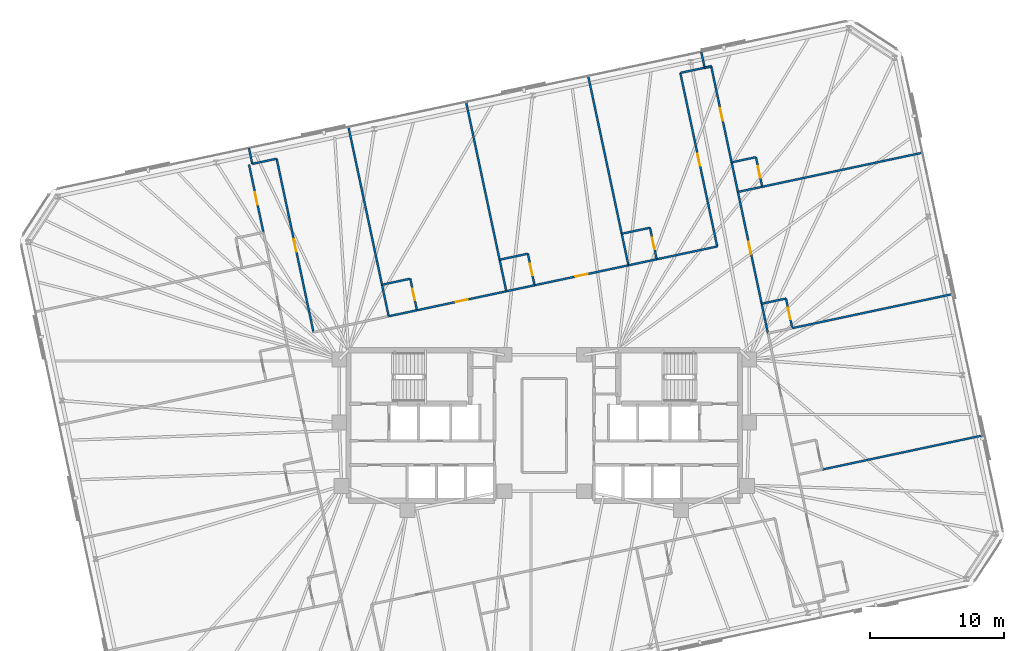
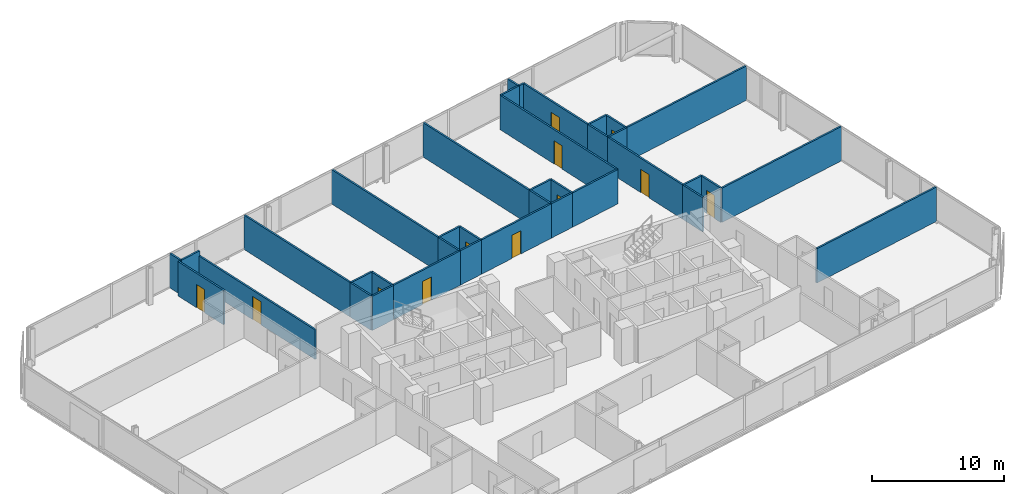
# One storey, part 17 of 19: 38 walls, 12 doors, 12 openings.
"""IFC4 building model written with IfcOpenShell, lengths in metres."""

from ifc_helpers import new_model, si_unit, direction, frame, frame_2d, origin, place, context, subcontext, project, spatial, rectangle, extrude, material, layer, layer_set, type_object, element, fill, save


model = new_model("IFC4")

# Units and contexts
model_context = context("Model", 3, precision=1e-05, world=origin(), true_north=direction((0.0, 1.0)))
body_context = subcontext(model_context, "Body", "Model", "MODEL_VIEW")
ifc_project = project(units=[si_unit("LENGTHUNIT", "METRE"), si_unit("AREAUNIT", "SQUARE_METRE"), si_unit("VOLUMEUNIT", "CUBIC_METRE"), si_unit("PLANEANGLEUNIT", "RADIAN"), si_unit("MASSUNIT", "GRAM", prefix="KILO")], contexts=[model_context])

# Site, building, storey
site_placement = place(None, origin())
site = spatial("IfcSite", under=ifc_project, at=site_placement, CompositionType="ELEMENT")
building_placement = place(site_placement, origin())
building = spatial("IfcBuilding", under=site, at=building_placement, Name="Menara Jurai Vektor", CompositionType="ELEMENT")
storey_placement = place(building_placement, frame((0.0, 0.0, 182.0)))
storey = spatial("IfcBuildingStorey", under=building, at=storey_placement, Name="L47", CompositionType="ELEMENT", Elevation=182.0)

# Wall
ifc_material_1 = material(Name="Gypsum Fireboard Partition", Category="gypsum")
ifc_layer_1 = layer(ifc_material_1, 0.14990234375)
ifc_layer_set_1 = layer_set([ifc_layer_1], Name="Gypsum Fireboard Partition")
wall_type_1 = type_object("IfcWallType", Name="INT-WALL-CORR-150", PredefinedType="PARTITIONING", material=ifc_layer_set_1)
wall_1_placement = place(storey_placement, frame((-21.71533203125, 19.447998046875, 0.0), z_axis=(0.0, 0.0, 1.0), x_axis=(0.978160192495, 0.207852442415, 0.0)))
element("IfcWall", 1, at=wall_1_placement, inside=storey, type_object=wall_type_1, Name="Interior Wall IW-150 L47", PredefinedType="PARTITIONING", context=body_context, shape_type="SweptSolid", body=[
    extrude(rectangle(XDim=1.849853515625, YDim=0.14990234375, at=frame_2d((0.9248046875, 0.0))), origin(), (0.0, 0.0, 1.0), 3.175048828125),
])

# Wall, opening, door
wall_2_placement = place(storey_placement, frame((-9.46728515625, 8.5615234375, 0.0), z_axis=(0.0, 0.0, 1.0), x_axis=(0.978147157672, 0.207913775247, 0.0)))
wall_2 = element("IfcWall", 2, at=wall_2_placement, inside=storey, type_object=wall_type_1, Name="Interior Wall IW-150 L47", PredefinedType="PARTITIONING", context=body_context, shape_type="SweptSolid", body=[
    extrude(rectangle(XDim=6.79296875, YDim=0.14990234375, at=frame_2d((3.396484375, 0.0))), origin(), (0.0, 0.0, 1.0), 3.175048828125),
])
opening_1_placement = place(wall_2_placement, frame((2.9365234375, 0.0, 0.0)))
opening_1 = element("IfcOpeningElement", 3, at=opening_1_placement, cuts=wall_2, Name="Opening D47-08", PredefinedType="OPENING", context=body_context, shape_type="SweptSolid", body=[
    extrude(rectangle(XDim=0.919921875, YDim=2.14990234375, at=frame_2d((0.4599609375, 1.074951171875))), frame((0.0, 0.0849609375, 0.0), z_axis=(0.0, -1.0, 0.0), x_axis=(1.0, 0.0, 0.0)), (0.0, 0.0, 1.0), 0.169921875),
])
ifc_material_2 = material(Name="Solid Core Timber Fire Door", Category="wood")
door_type_1 = type_object("IfcDoorType", Name="DR-ENTRY-950", OperationType="NOTDEFINED", PredefinedType="DOOR", material=ifc_material_2)
door_1_placement = place(opening_1_placement, origin())
door_1 = element("IfcDoor", 4, at=door_1_placement, inside=storey, type_object=door_type_1, Name="Interior Door D47-08", OperationType="SINGLE_SWING_LEFT", OverallHeight=2.14990234375, OverallWidth=0.919921875, PredefinedType="DOOR", context=body_context, shape_type="SweptSolid", body=[
    extrude(rectangle(XDim=0.919921875, YDim=2.14990234375, at=frame_2d((0.4599609375, 1.074951171875))), frame((0.0, 0.02490234375, 0.0), z_axis=(0.0, -1.0, 0.0), x_axis=(1.0, 0.0, 0.0)), (0.0, 0.0, 1.0), 0.050048828125),
])
fill(opening_1, door_1)

# Wall
wall_3_placement = place(storey_placement, frame((-11.5703125, 8.114501953125, 0.0), z_axis=(0.0, 0.0, 1.0), x_axis=(0.978146728319, 0.207915795165, 0.0)))
element("IfcWall", 5, at=wall_3_placement, inside=storey, type_object=wall_type_1, Name="Interior Wall IW-150 L47", PredefinedType="PARTITIONING", context=body_context, shape_type="SweptSolid", body=[
    extrude(rectangle(XDim=2.14990234375, YDim=0.14990234375, at=frame_2d((1.074951171875, 0.0))), origin(), (0.0, 0.0, 1.0), 3.175048828125),
])

# Wall, opening, door
wall_4_placement = place(storey_placement, frame((-0.7197265625, 10.4208984375, 0.0), z_axis=(0.0, 0.0, 1.0), x_axis=(0.978147545754, 0.207911949477, 0.0)))
wall_4 = element("IfcWall", 6, at=wall_4_placement, inside=storey, type_object=wall_type_1, Name="Interior Wall IW-150 L47", PredefinedType="PARTITIONING", context=body_context, shape_type="SweptSolid", body=[
    extrude(rectangle(XDim=7.135986328125, YDim=0.14990234375, at=frame_2d((3.56787109375, 0.0))), origin(), (0.0, 0.0, 1.0), 3.175048828125),
])
opening_2_placement = place(wall_4_placement, frame((3.10791015625, 0.0, 0.0)))
opening_2 = element("IfcOpeningElement", 7, at=opening_2_placement, cuts=wall_4, Name="Opening D47-10", PredefinedType="OPENING", context=body_context, shape_type="SweptSolid", body=[
    extrude(rectangle(XDim=0.919921875, YDim=2.14990234375, at=frame_2d((0.4599609375, 1.074951171875))), frame((0.0, 0.0849609375, 0.0), z_axis=(0.0, -1.0, 0.0), x_axis=(1.0, 0.0, 0.0)), (0.0, 0.0, 1.0), 0.169921875),
])
door_2_placement = place(opening_2_placement, origin())
door_2 = element("IfcDoor", 8, at=door_2_placement, inside=storey, type_object=door_type_1, Name="Interior Door D47-10", OperationType="SINGLE_SWING_LEFT", OverallHeight=2.14990234375, OverallWidth=0.919921875, PredefinedType="DOOR", context=body_context, shape_type="SweptSolid", body=[
    extrude(rectangle(XDim=0.919921875, YDim=2.14990234375, at=frame_2d((0.4599609375, 1.074951171875))), frame((0.0, 0.02490234375, 0.0), z_axis=(0.0, -1.0, 0.0), x_axis=(1.0, 0.0, 0.0)), (0.0, 0.0, 1.0), 0.050048828125),
])
fill(opening_2, door_2)

# Walls
wall_5_placement = place(storey_placement, frame((-2.82275390625, 9.973876953125, 0.0), z_axis=(0.0, 0.0, 1.0), x_axis=(0.978146728319, 0.207915795165, 0.0)))
element("IfcWall", 9, at=wall_5_placement, inside=storey, type_object=wall_type_1, Name="Interior Wall IW-150 L47", PredefinedType="PARTITIONING", context=body_context, shape_type="SweptSolid", body=[
    extrude(rectangle(XDim=2.14990234375, YDim=0.14990234375, at=frame_2d((1.074951171875, 0.0))), origin(), (0.0, 0.0, 1.0), 3.175048828125),
])
wall_6_placement = place(storey_placement, frame((8.36328125, 12.3515625, 0.0), z_axis=(0.0, 0.0, 1.0), x_axis=(0.978153723809, 0.20788288193, 0.0)))
element("IfcWall", 10, at=wall_6_placement, inside=storey, type_object=wall_type_1, Name="Interior Wall IW-150 L47", PredefinedType="PARTITIONING", context=body_context, shape_type="SweptSolid", body=[
    extrude(rectangle(XDim=4.59912109375, YDim=0.14990234375, at=frame_2d((2.299560546875, 0.0))), origin(), (0.0, 0.0, 1.0), 3.175048828125),
])

# Wall, opening, door
wall_7_placement = place(storey_placement, frame((12.86181640625, 13.3076171875, 0.0), z_axis=(0.0, 0.0, 1.0), x_axis=(-0.207911421929, 0.978147657888, 0.0)))
wall_7 = element("IfcWall", 11, at=wall_7_placement, inside=storey, type_object=wall_type_1, Name="Interior Wall IW-150 L47", PredefinedType="PARTITIONING", context=body_context, shape_type="SweptSolid", body=[
    extrude(rectangle(XDim=13.195068359375, YDim=0.14990234375, at=frame_2d((6.59765625, 0.0))), origin(), (0.0, 0.0, 1.0), 3.175048828125),
])
opening_3_placement = place(wall_7_placement, frame((6.137451171875, 0.0, 0.0)))
opening_3 = element("IfcOpeningElement", 12, at=opening_3_placement, cuts=wall_7, Name="Opening D47-12", PredefinedType="OPENING", context=body_context, shape_type="SweptSolid", body=[
    extrude(rectangle(XDim=0.919921875, YDim=2.14990234375, at=frame_2d((0.4599609375, 1.074951171875))), frame((0.0, 0.0849609375, 0.0), z_axis=(0.0, -1.0, 0.0), x_axis=(1.0, 0.0, 0.0)), (0.0, 0.0, 1.0), 0.169921875),
])
door_3_placement = place(opening_3_placement, origin())
door_3 = element("IfcDoor", 13, at=door_3_placement, inside=storey, type_object=door_type_1, Name="Interior Door D47-12", OperationType="SINGLE_SWING_LEFT", OverallHeight=2.14990234375, OverallWidth=0.919921875, PredefinedType="DOOR", context=body_context, shape_type="SweptSolid", body=[
    extrude(rectangle(XDim=0.919921875, YDim=2.14990234375, at=frame_2d((0.4599609375, 1.074951171875))), frame((0.0, 0.02490234375, 0.0), z_axis=(0.0, -1.0, 0.0), x_axis=(1.0, 0.0, 0.0)), (0.0, 0.0, 1.0), 0.050048828125),
])
fill(opening_3, door_3)

# Walls
wall_8_placement = place(storey_placement, frame((10.118408203125, 26.21435546875, 0.0), z_axis=(0.0, 0.0, 1.0), x_axis=(0.978133353907, 0.20797870558, 0.0)))
element("IfcWall", 14, at=wall_8_placement, inside=storey, type_object=wall_type_1, Name="Interior Wall IW-150 L47", PredefinedType="PARTITIONING", context=body_context, shape_type="SweptSolid", body=[
    extrude(rectangle(XDim=1.85009765625, YDim=0.14990234375, at=frame_2d((0.925048828125, 0.0))), origin(), (0.0, 0.0, 1.0), 3.175048828125),
])
wall_9_placement = place(storey_placement, frame((6.26025390625, 11.904541015625, 0.0), z_axis=(0.0, 0.0, 1.0), x_axis=(0.978146728319, 0.207915795165, 0.0)))
element("IfcWall", 15, at=wall_9_placement, inside=storey, type_object=wall_type_1, Name="Interior Wall IW-150 L47", PredefinedType="PARTITIONING", context=body_context, shape_type="SweptSolid", body=[
    extrude(rectangle(XDim=2.14990234375, YDim=0.14990234375, at=frame_2d((1.074951171875, 0.0))), origin(), (0.0, 0.0, 1.0), 3.175048828125),
])

# Wall, opening, door
wall_10_placement = place(storey_placement, frame((-20.88916015625, 14.3583984375, 0.0), z_axis=(0.0, 0.0, 1.0), x_axis=(-0.207916584961, 0.978146560439, 0.0)))
wall_10 = element("IfcWall", 16, at=wall_10_placement, inside=storey, type_object=wall_type_1, Name="Interior Wall IW-150 L47", PredefinedType="PARTITIONING", context=body_context, shape_type="SweptSolid", body=[
    extrude(rectangle(XDim=5.150146484375, YDim=0.14990234375, at=frame_2d((2.5751953125, 0.0))), origin(), (0.0, 0.0, 1.0), 3.175048828125),
])
opening_4_placement = place(wall_10_placement, frame((2.10009765625, 0.0, 0.0)))
opening_4 = element("IfcOpeningElement", 17, at=opening_4_placement, cuts=wall_10, Name="Opening D47-27", PredefinedType="OPENING", context=body_context, shape_type="SweptSolid", body=[
    extrude(rectangle(XDim=0.949951171875, YDim=2.14990234375, at=frame_2d((0.47509765625, 1.074951171875))), frame((0.0, 0.0849609375, 0.0), z_axis=(0.0, -1.0, 0.0), x_axis=(1.0, 0.0, 0.0)), (0.0, 0.0, 1.0), 0.169921875),
])
door_4_placement = place(opening_4_placement, origin())
door_4 = element("IfcDoor", 18, at=door_4_placement, inside=storey, type_object=door_type_1, Name="Interior Door D47-27", OperationType="SINGLE_SWING_RIGHT", OverallHeight=2.14990234375, OverallWidth=0.949951171875, PredefinedType="DOOR", context=body_context, shape_type="SweptSolid", body=[
    extrude(rectangle(XDim=0.949951171875, YDim=2.14990234375, at=frame_2d((0.47509765625, 1.074951171875))), frame((0.0, 0.02490234375, 0.0), z_axis=(0.0, -1.0, 0.0), x_axis=(1.0, 0.0, 0.0)), (0.0, 0.0, 1.0), 0.050048828125),
])
fill(opening_4, door_4)

wall_11_placement = place(storey_placement, frame((16.169921875, 9.04736328125, 0.0), z_axis=(0.0, 0.0, 1.0), x_axis=(-0.2079164651, 0.978146585917, 0.0)))
wall_11 = element("IfcWall", 19, at=wall_11_placement, inside=storey, type_object=wall_type_1, Name="Interior Wall IW-150 L47", PredefinedType="PARTITIONING", context=body_context, shape_type="SweptSolid", body=[
    extrude(rectangle(XDim=8.500244140625, YDim=0.14990234375, at=frame_2d((4.25, 0.0))), origin(), (0.0, 0.0, 1.0), 3.175048828125),
])
opening_5_placement = place(wall_11_placement, frame((3.77490234375, 0.0, 0.0)))
opening_5 = element("IfcOpeningElement", 20, at=opening_5_placement, cuts=wall_11, Name="Opening D47-33", PredefinedType="OPENING", context=body_context, shape_type="SweptSolid", body=[
    extrude(rectangle(XDim=0.949951171875, YDim=2.14990234375, at=frame_2d((0.47509765625, 1.074951171875))), frame((0.0, 0.0849609375, 0.0), z_axis=(0.0, -1.0, 0.0), x_axis=(1.0, 0.0, 0.0)), (0.0, 0.0, 1.0), 0.169921875),
])
door_5_placement = place(opening_5_placement, origin())
door_5 = element("IfcDoor", 21, at=door_5_placement, inside=storey, type_object=door_type_1, Name="Interior Door D47-33", OperationType="SINGLE_SWING_RIGHT", OverallHeight=2.14990234375, OverallWidth=0.949951171875, PredefinedType="DOOR", context=body_context, shape_type="SweptSolid", body=[
    extrude(rectangle(XDim=0.949951171875, YDim=2.14990234375, at=frame_2d((0.47509765625, 1.074951171875))), frame((0.0, 0.02490234375, 0.0), z_axis=(0.0, -1.0, 0.0), x_axis=(1.0, 0.0, 0.0)), (0.0, 0.0, 1.0), 0.050048828125),
])
fill(opening_5, door_5)

# Walls
wall_12_placement = place(storey_placement, frame((16.6376953125, 6.8466796875, 0.0), z_axis=(0.0, 0.0, 1.0), x_axis=(-0.207913264065, 0.978147266328, 0.0)))
element("IfcWall", 22, at=wall_12_placement, inside=storey, type_object=wall_type_1, Name="Interior Wall IW-150 L47", PredefinedType="PARTITIONING", context=body_context, shape_type="SweptSolid", body=[
    extrude(rectangle(XDim=2.249755859375, YDim=0.14990234375, at=frame_2d((1.125, 0.0))), origin(), (0.0, 0.0, 1.0), 3.175048828125),
])
wall_13_placement = place(storey_placement, frame((11.927978515625, 26.59912109375, 0.0), z_axis=(0.0, 0.0, 1.0), x_axis=(0.97822210712, 0.207560856478, 0.0)))
element("IfcWall", 23, at=wall_13_placement, inside=storey, type_object=wall_type_1, Name="Interior Wall IW-150 L47", PredefinedType="PARTITIONING", context=body_context, shape_type="SweptSolid", body=[
    extrude(rectangle(XDim=0.5, YDim=0.14990234375, at=frame_2d((0.25, 0.0))), origin(), (0.0, 0.0, 1.0), 3.175048828125),
])

# Wall, opening, door
wall_14_placement = place(storey_placement, frame((13.934814453125, 19.5625, 0.0), z_axis=(0.0, 0.0, 1.0), x_axis=(-0.207923154003, 0.978145164088, 0.0)))
wall_14 = element("IfcWall", 24, at=wall_14_placement, inside=storey, type_object=wall_type_1, Name="Interior Wall IW-150 L47", PredefinedType="PARTITIONING", context=body_context, shape_type="SweptSolid", body=[
    extrude(rectangle(XDim=7.2998046875, YDim=0.14990234375, at=frame_2d((3.64990234375, 0.0))), origin(), (0.0, 0.0, 1.0), 3.175048828125),
])
opening_6_placement = place(wall_14_placement, frame((3.175048828125, 0.0, 0.0)))
opening_6 = element("IfcOpeningElement", 25, at=opening_6_placement, cuts=wall_14, Name="Opening D47-35", PredefinedType="OPENING", context=body_context, shape_type="SweptSolid", body=[
    extrude(rectangle(XDim=0.949951171875, YDim=2.14990234375, at=frame_2d((0.47509765625, 1.074951171875))), frame((0.0, 0.0849609375, 0.0), z_axis=(0.0, -1.0, 0.0), x_axis=(1.0, 0.0, 0.0)), (0.0, 0.0, 1.0), 0.169921875),
])
door_6_placement = place(opening_6_placement, origin())
door_6 = element("IfcDoor", 26, at=door_6_placement, inside=storey, type_object=door_type_1, Name="Interior Door D47-35", OperationType="SINGLE_SWING_RIGHT", OverallHeight=2.14990234375, OverallWidth=0.949951171875, PredefinedType="DOOR", context=body_context, shape_type="SweptSolid", body=[
    extrude(rectangle(XDim=0.949951171875, YDim=2.14990234375, at=frame_2d((0.47509765625, 1.074951171875))), frame((0.0, 0.02490234375, 0.0), z_axis=(0.0, -1.0, 0.0), x_axis=(1.0, 0.0, 0.0)), (0.0, 0.0, 1.0), 0.050048828125),
])
fill(opening_6, door_6)

# Walls
wall_15_placement = place(storey_placement, frame((14.402587890625, 17.36181640625, 0.0), z_axis=(0.0, 0.0, 1.0), x_axis=(-0.207913264065, 0.978147266328, 0.0)))
element("IfcWall", 27, at=wall_15_placement, inside=storey, type_object=wall_type_1, Name="Interior Wall IW-150 L47", PredefinedType="PARTITIONING", context=body_context, shape_type="SweptSolid", body=[
    extrude(rectangle(XDim=2.249755859375, YDim=0.14990234375, at=frame_2d((1.125, 0.0))), origin(), (0.0, 0.0, 1.0), 3.175048828125),
])
wall_16_placement = place(storey_placement, frame((-12.0693359375, 10.462158203125, 0.0), z_axis=(0.0, 0.0, 1.0), x_axis=(-0.207914988081, 0.978146899873, 0.0)))
element("IfcWall", 28, at=wall_16_placement, inside=storey, type_object=wall_type_1, Name="Interior Wall IW-150 L47", PredefinedType="PARTITIONING", context=body_context, shape_type="SweptSolid", body=[
    extrude(rectangle(XDim=11.994873046875, YDim=0.14990234375, at=frame_2d((5.99755859375, 0.0))), origin(), (0.0, 0.0, 1.0), 3.175048828125),
])
wall_17_placement = place(storey_placement, frame((-11.5703125, 8.114501953125, 0.0), z_axis=(0.0, 0.0, 1.0), x_axis=(-0.207917150959, 0.978146440129, 0.0)))
element("IfcWall", 29, at=wall_17_placement, inside=storey, type_object=wall_type_1, Name="Interior Wall IW-150 L47", PredefinedType="PARTITIONING", context=body_context, shape_type="SweptSolid", body=[
    extrude(rectangle(XDim=2.400146484375, YDim=0.14990234375, at=frame_2d((1.2001953125, 0.0))), origin(), (0.0, 0.0, 1.0), 3.175048828125),
])
wall_18_placement = place(storey_placement, frame((-21.71533203125, 19.447998046875, 0.0), z_axis=(0.0, 0.0, 1.0), x_axis=(-0.20795853359, 0.978137642823, 0.0)))
element("IfcWall", 30, at=wall_18_placement, inside=storey, type_object=wall_type_1, Name="Interior Wall IW-150 L47", PredefinedType="PARTITIONING", context=body_context, shape_type="SweptSolid", body=[
    extrude(rectangle(XDim=1.19970703125, YDim=0.14990234375, at=frame_2d((0.599853515625, 0.0))), origin(), (0.0, 0.0, 1.0), 3.175048828125),
])
wall_19_placement = place(storey_placement, frame((-12.0693359375, 10.462158203125, 0.0), z_axis=(0.0, 0.0, 1.0), x_axis=(0.978146728319, 0.207915795165, 0.0)))
element("IfcWall", 31, at=wall_19_placement, inside=storey, type_object=wall_type_1, Name="Interior Wall IW-150 L47", PredefinedType="PARTITIONING", context=body_context, shape_type="SweptSolid", body=[
    extrude(rectangle(XDim=2.14990234375, YDim=0.14990234375, at=frame_2d((1.074951171875, 0.0))), origin(), (0.0, 0.0, 1.0), 3.175048828125),
])

# Wall, opening, door
wall_20_placement = place(storey_placement, frame((-9.46728515625, 8.5615234375, 0.0), z_axis=(0.0, 0.0, 1.0), x_axis=(-0.207917150959, 0.978146440129, 0.0)))
wall_20 = element("IfcWall", 32, at=wall_20_placement, inside=storey, type_object=wall_type_1, Name="Interior Wall IW-150 L47", PredefinedType="PARTITIONING", context=body_context, shape_type="SweptSolid", body=[
    extrude(rectangle(XDim=2.400146484375, YDim=0.14990234375, at=frame_2d((1.2001953125, 0.0))), origin(), (0.0, 0.0, 1.0), 3.175048828125),
])
opening_7_placement = place(wall_20_placement, frame((0.760009765625, 0.0, 0.0)))
opening_7 = element("IfcOpeningElement", 33, at=opening_7_placement, cuts=wall_20, Name="Opening D47-09", PredefinedType="OPENING", context=body_context, shape_type="SweptSolid", body=[
    extrude(rectangle(XDim=0.8798828125, YDim=2.14990234375, at=frame_2d((0.43994140625, 1.074951171875))), frame((0.0, 0.0849609375, 0.0), z_axis=(0.0, -1.0, 0.0), x_axis=(1.0, 0.0, 0.0)), (0.0, 0.0, 1.0), 0.169921875),
])
ifc_material_3 = material(Name="Moisture-Resistant Timber Door", Category="wood")
door_type_2 = type_object("IfcDoorType", Name="DR-BATH-880", OperationType="NOTDEFINED", PredefinedType="DOOR", material=ifc_material_3)
door_7_placement = place(opening_7_placement, origin())
door_7 = element("IfcDoor", 34, at=door_7_placement, inside=storey, type_object=door_type_2, Name="Interior Door D47-09", OperationType="SINGLE_SWING_RIGHT", OverallHeight=2.14990234375, OverallWidth=0.8798828125, PredefinedType="DOOR", context=body_context, shape_type="SweptSolid", body=[
    extrude(rectangle(XDim=0.8798828125, YDim=2.14990234375, at=frame_2d((0.43994140625, 1.074951171875))), frame((0.0, 0.02490234375, 0.0), z_axis=(0.0, -1.0, 0.0), x_axis=(1.0, 0.0, 0.0)), (0.0, 0.0, 1.0), 0.050048828125),
])
fill(opening_7, door_7)

# Walls
wall_21_placement = place(storey_placement, frame((-3.32177734375, 12.3212890625, 0.0), z_axis=(0.0, 0.0, 1.0), x_axis=(-0.207910848762, 0.978147779718, 0.0)))
element("IfcWall", 35, at=wall_21_placement, inside=storey, type_object=wall_type_1, Name="Interior Wall IW-150 L47", PredefinedType="PARTITIONING", context=body_context, shape_type="SweptSolid", body=[
    extrude(rectangle(XDim=11.9951171875, YDim=0.14990234375, at=frame_2d((5.99755859375, 0.0))), origin(), (0.0, 0.0, 1.0), 3.175048828125),
])
wall_22_placement = place(storey_placement, frame((-2.82275390625, 9.973876953125, 0.0), z_axis=(0.0, 0.0, 1.0), x_axis=(-0.207937840262, 0.978142042133, 0.0)))
element("IfcWall", 36, at=wall_22_placement, inside=storey, type_object=wall_type_1, Name="Interior Wall IW-150 L47", PredefinedType="PARTITIONING", context=body_context, shape_type="SweptSolid", body=[
    extrude(rectangle(XDim=2.39990234375, YDim=0.14990234375, at=frame_2d((1.199951171875, 0.0))), origin(), (0.0, 0.0, 1.0), 3.175048828125),
])
wall_23_placement = place(storey_placement, frame((-3.32177734375, 12.3212890625, 0.0), z_axis=(0.0, 0.0, 1.0), x_axis=(0.978146728319, 0.207915795165, 0.0)))
element("IfcWall", 37, at=wall_23_placement, inside=storey, type_object=wall_type_1, Name="Interior Wall IW-150 L47", PredefinedType="PARTITIONING", context=body_context, shape_type="SweptSolid", body=[
    extrude(rectangle(XDim=2.14990234375, YDim=0.14990234375, at=frame_2d((1.074951171875, 0.0))), origin(), (0.0, 0.0, 1.0), 3.175048828125),
])

# Wall, opening, door
wall_24_placement = place(storey_placement, frame((-0.7197265625, 10.4208984375, 0.0), z_axis=(0.0, 0.0, 1.0), x_axis=(-0.207937840262, 0.978142042133, 0.0)))
wall_24 = element("IfcWall", 38, at=wall_24_placement, inside=storey, type_object=wall_type_1, Name="Interior Wall IW-150 L47", PredefinedType="PARTITIONING", context=body_context, shape_type="SweptSolid", body=[
    extrude(rectangle(XDim=2.39990234375, YDim=0.14990234375, at=frame_2d((1.199951171875, 0.0))), origin(), (0.0, 0.0, 1.0), 3.175048828125),
])
opening_8_placement = place(wall_24_placement, frame((0.760009765625, 0.0, 0.0)))
opening_8 = element("IfcOpeningElement", 39, at=opening_8_placement, cuts=wall_24, Name="Opening D47-11", PredefinedType="OPENING", context=body_context, shape_type="SweptSolid", body=[
    extrude(rectangle(XDim=0.8798828125, YDim=2.14990234375, at=frame_2d((0.43994140625, 1.074951171875))), frame((0.0, 0.0849609375, 0.0), z_axis=(0.0, -1.0, 0.0), x_axis=(1.0, 0.0, 0.0)), (0.0, 0.0, 1.0), 0.169921875),
])
door_8_placement = place(opening_8_placement, origin())
door_8 = element("IfcDoor", 40, at=door_8_placement, inside=storey, type_object=door_type_2, Name="Interior Door D47-11", OperationType="SINGLE_SWING_RIGHT", OverallHeight=2.14990234375, OverallWidth=0.8798828125, PredefinedType="DOOR", context=body_context, shape_type="SweptSolid", body=[
    extrude(rectangle(XDim=0.8798828125, YDim=2.14990234375, at=frame_2d((0.43994140625, 1.074951171875))), frame((0.0, 0.02490234375, 0.0), z_axis=(0.0, -1.0, 0.0), x_axis=(1.0, 0.0, 0.0)), (0.0, 0.0, 1.0), 0.050048828125),
])
fill(opening_8, door_8)

# Walls
wall_25_placement = place(storey_placement, frame((5.76123046875, 14.252197265625, 0.0), z_axis=(0.0, 0.0, 1.0), x_axis=(-0.207910848762, 0.978147779718, 0.0)))
element("IfcWall", 41, at=wall_25_placement, inside=storey, type_object=wall_type_1, Name="Interior Wall IW-150 L47", PredefinedType="PARTITIONING", context=body_context, shape_type="SweptSolid", body=[
    extrude(rectangle(XDim=11.9951171875, YDim=0.14990234375, at=frame_2d((5.99755859375, 0.0))), origin(), (0.0, 0.0, 1.0), 3.175048828125),
])
wall_26_placement = place(storey_placement, frame((6.26025390625, 11.904541015625, 0.0), z_axis=(0.0, 0.0, 1.0), x_axis=(-0.207917150959, 0.978146440129, 0.0)))
element("IfcWall", 42, at=wall_26_placement, inside=storey, type_object=wall_type_1, Name="Interior Wall IW-150 L47", PredefinedType="PARTITIONING", context=body_context, shape_type="SweptSolid", body=[
    extrude(rectangle(XDim=2.400146484375, YDim=0.14990234375, at=frame_2d((1.2001953125, 0.0))), origin(), (0.0, 0.0, 1.0), 3.175048828125),
])
wall_27_placement = place(storey_placement, frame((5.76123046875, 14.252197265625, 0.0), z_axis=(0.0, 0.0, 1.0), x_axis=(0.978146728319, 0.207915795165, 0.0)))
element("IfcWall", 43, at=wall_27_placement, inside=storey, type_object=wall_type_1, Name="Interior Wall IW-150 L47", PredefinedType="PARTITIONING", context=body_context, shape_type="SweptSolid", body=[
    extrude(rectangle(XDim=2.14990234375, YDim=0.14990234375, at=frame_2d((1.074951171875, 0.0))), origin(), (0.0, 0.0, 1.0), 3.175048828125),
])

# Wall, opening, door
wall_28_placement = place(storey_placement, frame((8.36328125, 12.3515625, 0.0), z_axis=(0.0, 0.0, 1.0), x_axis=(-0.207917150959, 0.978146440129, 0.0)))
wall_28 = element("IfcWall", 44, at=wall_28_placement, inside=storey, type_object=wall_type_1, Name="Interior Wall IW-150 L47", PredefinedType="PARTITIONING", context=body_context, shape_type="SweptSolid", body=[
    extrude(rectangle(XDim=2.400146484375, YDim=0.14990234375, at=frame_2d((1.2001953125, 0.0))), origin(), (0.0, 0.0, 1.0), 3.175048828125),
])
opening_9_placement = place(wall_28_placement, frame((0.760009765625, 0.0, 0.0)))
opening_9 = element("IfcOpeningElement", 45, at=opening_9_placement, cuts=wall_28, Name="Opening D47-13", PredefinedType="OPENING", context=body_context, shape_type="SweptSolid", body=[
    extrude(rectangle(XDim=0.8798828125, YDim=2.14990234375, at=frame_2d((0.43994140625, 1.074951171875))), frame((0.0, 0.0849609375, 0.0), z_axis=(0.0, -1.0, 0.0), x_axis=(1.0, 0.0, 0.0)), (0.0, 0.0, 1.0), 0.169921875),
])
door_9_placement = place(opening_9_placement, origin())
door_9 = element("IfcDoor", 46, at=door_9_placement, inside=storey, type_object=door_type_2, Name="Interior Door D47-13", OperationType="SINGLE_SWING_RIGHT", OverallHeight=2.14990234375, OverallWidth=0.8798828125, PredefinedType="DOOR", context=body_context, shape_type="SweptSolid", body=[
    extrude(rectangle(XDim=0.8798828125, YDim=2.14990234375, at=frame_2d((0.43994140625, 1.074951171875))), frame((0.0, 0.02490234375, 0.0), z_axis=(0.0, -1.0, 0.0), x_axis=(1.0, 0.0, 0.0)), (0.0, 0.0, 1.0), 0.050048828125),
])
fill(opening_9, door_9)

# Walls
wall_29_placement = place(storey_placement, frame((11.927978515625, 26.59912109375, 0.0), z_axis=(0.0, 0.0, 1.0), x_axis=(-0.20795853359, 0.978137642823, 0.0)))
element("IfcWall", 47, at=wall_29_placement, inside=storey, type_object=wall_type_1, Name="Interior Wall IW-150 L47", PredefinedType="PARTITIONING", context=body_context, shape_type="SweptSolid", body=[
    extrude(rectangle(XDim=1.19970703125, YDim=0.14990234375, at=frame_2d((0.599853515625, 0.0))), origin(), (0.0, 0.0, 1.0), 3.175048828125),
])
for number, where, z_axis, x_axis, name in (
    (48, (20.682373046875, -3.283935546875, 0.0), (0.0, 0.0, 1.0), (0.97814556055, 0.207921288896, 0.0), "Interior Wall IW-150 L47"),
    (49, (18.447265625, 7.231201171875, 0.0), (0.0, 0.0, 1.0), (0.978149634612, 0.207902121941, 0.0), "Interior Wall IW-150 L47"),
):
    element("IfcWall", number, at=place(storey_placement, frame(where, z_axis=z_axis, x_axis=x_axis)), inside=storey, type_object=wall_type_1, Name=name, PredefinedType="PARTITIONING", context=body_context, shape_type="SweptSolid", body=[
        extrude(rectangle(XDim=12.18701171875, YDim=0.14990234375, at=frame_2d((6.093505859375, 0.0))), origin(), (0.0, 0.0, 1.0), 3.175048828125),
    ])
wall_30_placement = place(storey_placement, frame((16.169921875, 9.04736328125, 0.0), z_axis=(0.0, 0.0, 1.0), x_axis=(0.978133353907, 0.20797870558, 0.0)))
element("IfcWall", 50, at=wall_30_placement, inside=storey, type_object=wall_type_1, Name="Interior Wall IW-150 L47", PredefinedType="PARTITIONING", context=body_context, shape_type="SweptSolid", body=[
    extrude(rectangle(XDim=1.85009765625, YDim=0.14990234375, at=frame_2d((0.925048828125, 0.0))), origin(), (0.0, 0.0, 1.0), 3.175048828125),
])

# Wall, opening, door
wall_31_placement = place(storey_placement, frame((18.447265625, 7.231201171875, 0.0), z_axis=(0.0, 0.0, 1.0), x_axis=(-0.207891197838, 0.978151956427, 0.0)))
wall_31 = element("IfcWall", 51, at=wall_31_placement, inside=storey, type_object=wall_type_1, Name="Interior Wall IW-150 L47", PredefinedType="PARTITIONING", context=body_context, shape_type="SweptSolid", body=[
    extrude(rectangle(XDim=2.25, YDim=0.14990234375, at=frame_2d((1.125, 0.0))), origin(), (0.0, 0.0, 1.0), 3.175048828125),
])
opening_10_placement = place(wall_31_placement, frame((0.68505859375, 0.0, 0.0)))
opening_10 = element("IfcOpeningElement", 52, at=opening_10_placement, cuts=wall_31, Name="Opening D47-34", PredefinedType="OPENING", context=body_context, shape_type="SweptSolid", body=[
    extrude(rectangle(XDim=0.8798828125, YDim=2.14990234375, at=frame_2d((0.43994140625, 1.074951171875))), frame((0.0, 0.0849609375, 0.0), z_axis=(0.0, -1.0, 0.0), x_axis=(1.0, 0.0, 0.0)), (0.0, 0.0, 1.0), 0.169921875),
])
door_10_placement = place(opening_10_placement, origin())
door_10 = element("IfcDoor", 53, at=door_10_placement, inside=storey, type_object=door_type_2, Name="Interior Door D47-34", OperationType="SINGLE_SWING_LEFT", OverallHeight=2.14990234375, OverallWidth=0.8798828125, PredefinedType="DOOR", context=body_context, shape_type="SweptSolid", body=[
    extrude(rectangle(XDim=0.8798828125, YDim=2.14990234375, at=frame_2d((0.43994140625, 1.074951171875))), frame((0.0, 0.02490234375, 0.0), z_axis=(0.0, -1.0, 0.0), x_axis=(1.0, 0.0, 0.0)), (0.0, 0.0, 1.0), 0.050048828125),
])
fill(opening_10, door_10)

# Walls
wall_32_placement = place(storey_placement, frame((16.212158203125, 17.746337890625, 0.0), z_axis=(0.0, 0.0, 1.0), x_axis=(0.978149634612, 0.207902121941, 0.0)))
element("IfcWall", 54, at=wall_32_placement, inside=storey, type_object=wall_type_1, Name="Interior Wall IW-150 L47", PredefinedType="PARTITIONING", context=body_context, shape_type="SweptSolid", body=[
    extrude(rectangle(XDim=12.18701171875, YDim=0.14990234375, at=frame_2d((6.093505859375, 0.0))), origin(), (0.0, 0.0, 1.0), 3.175048828125),
])
for number, where, z_axis, x_axis, name in (
    (55, (14.402587890625, 17.36181640625, 0.0), (0.0, 0.0, 1.0), (0.978160192495, 0.207852442415, 0.0), "Interior Wall IW-150 L47"),
    (56, (13.934814453125, 19.5625, 0.0), (0.0, 0.0, 1.0), (0.978160192495, 0.207852442415, 0.0), "Interior Wall IW-150 L47"),
):
    element("IfcWall", number, at=place(storey_placement, frame(where, z_axis=z_axis, x_axis=x_axis)), inside=storey, type_object=wall_type_1, Name=name, PredefinedType="PARTITIONING", context=body_context, shape_type="SweptSolid", body=[
        extrude(rectangle(XDim=1.849853515625, YDim=0.14990234375, at=frame_2d((0.9248046875, 0.0))), origin(), (0.0, 0.0, 1.0), 3.175048828125),
    ])

# Wall, opening, door
wall_33_placement = place(storey_placement, frame((16.212158203125, 17.746337890625, 0.0), z_axis=(0.0, 0.0, 1.0), x_axis=(-0.207913264065, 0.978147266328, 0.0)))
wall_33 = element("IfcWall", 57, at=wall_33_placement, inside=storey, type_object=wall_type_1, Name="Interior Wall IW-150 L47", PredefinedType="PARTITIONING", context=body_context, shape_type="SweptSolid", body=[
    extrude(rectangle(XDim=2.249755859375, YDim=0.14990234375, at=frame_2d((1.125, 0.0))), origin(), (0.0, 0.0, 1.0), 3.175048828125),
])
opening_11_placement = place(wall_33_placement, frame((0.68505859375, 0.0, 0.0)))
opening_11 = element("IfcOpeningElement", 58, at=opening_11_placement, cuts=wall_33, Name="Opening D47-36", PredefinedType="OPENING", context=body_context, shape_type="SweptSolid", body=[
    extrude(rectangle(XDim=0.8798828125, YDim=2.14990234375, at=frame_2d((0.43994140625, 1.074951171875))), frame((0.0, 0.0849609375, 0.0), z_axis=(0.0, -1.0, 0.0), x_axis=(1.0, 0.0, 0.0)), (0.0, 0.0, 1.0), 0.169921875),
])
door_11_placement = place(opening_11_placement, origin())
door_11 = element("IfcDoor", 59, at=door_11_placement, inside=storey, type_object=door_type_2, Name="Interior Door D47-36", OperationType="SINGLE_SWING_LEFT", OverallHeight=2.14990234375, OverallWidth=0.8798828125, PredefinedType="DOOR", context=body_context, shape_type="SweptSolid", body=[
    extrude(rectangle(XDim=0.8798828125, YDim=2.14990234375, at=frame_2d((0.43994140625, 1.074951171875))), frame((0.0, 0.02490234375, 0.0), z_axis=(0.0, -1.0, 0.0), x_axis=(1.0, 0.0, 0.0)), (0.0, 0.0, 1.0), 0.050048828125),
])
fill(opening_11, door_11)

ifc_layer_2 = layer(ifc_material_1, 0.14990234375)
ifc_layer_set_2 = layer_set([ifc_layer_2], Name="Gypsum Fireboard Partition")
wall_type_2 = type_object("IfcWallType", Name="INT-WALL-CORR-150-H1", PredefinedType="PARTITIONING", material=ifc_layer_set_2)
wall_34_placement = place(storey_placement, frame((-17.162353515625, 6.92578125, 0.0), z_axis=(0.0, 0.0, 1.0), x_axis=(-0.207911421929, 0.978147657888, 0.0)))
wall_34 = element("IfcWall", 60, at=wall_34_placement, inside=storey, type_object=wall_type_2, Name="Interior Wall IW-150 L47", PredefinedType="PARTITIONING", context=body_context, shape_type="SweptSolid", body=[
    extrude(rectangle(XDim=13.195068359375, YDim=0.14990234375, at=frame_2d((6.59765625, 0.0))), origin(), (0.0, 0.0, 1.0), 2.72509765625),
])
opening_12_placement = place(wall_34_placement, frame((6.137451171875, 0.0, 0.0)))
opening_12 = element("IfcOpeningElement", 61, at=opening_12_placement, cuts=wall_34, Name="Opening D47-07", PredefinedType="OPENING", context=body_context, shape_type="SweptSolid", body=[
    extrude(rectangle(XDim=0.919921875, YDim=2.14990234375, at=frame_2d((0.4599609375, 1.074951171875))), frame((0.0, 0.0849609375, 0.0), z_axis=(0.0, -1.0, 0.0), x_axis=(1.0, 0.0, 0.0)), (0.0, 0.0, 1.0), 0.169921875),
])
door_12_placement = place(opening_12_placement, origin())
door_12 = element("IfcDoor", 62, at=door_12_placement, inside=storey, type_object=door_type_1, Name="Interior Door D47-07", OperationType="SINGLE_SWING_RIGHT", OverallHeight=2.14990234375, OverallWidth=0.919921875, PredefinedType="DOOR", context=body_context, shape_type="SweptSolid", body=[
    extrude(rectangle(XDim=0.919921875, YDim=2.14990234375, at=frame_2d((0.4599609375, 1.074951171875))), frame((0.0, 0.02490234375, 0.0), z_axis=(0.0, -1.0, 0.0), x_axis=(1.0, 0.0, 0.0)), (0.0, 0.0, 1.0), 0.050048828125),
])
fill(opening_12, door_12)

save(model, "model.ifc")
